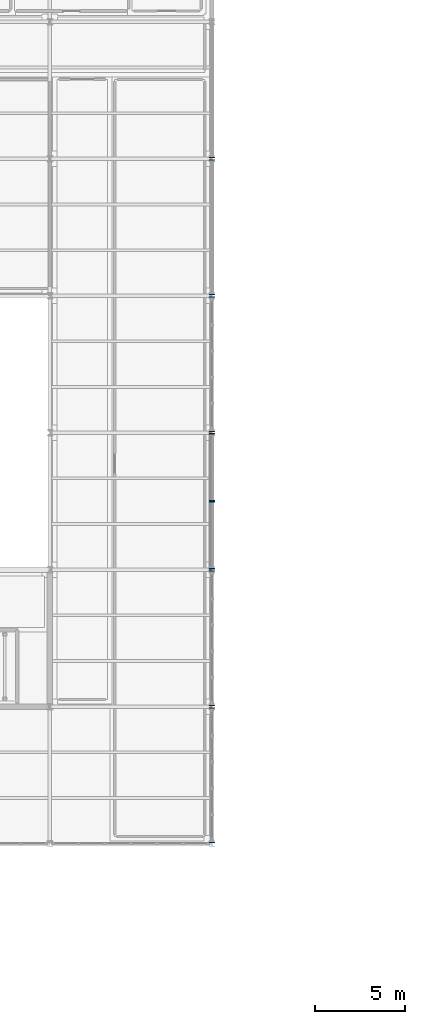
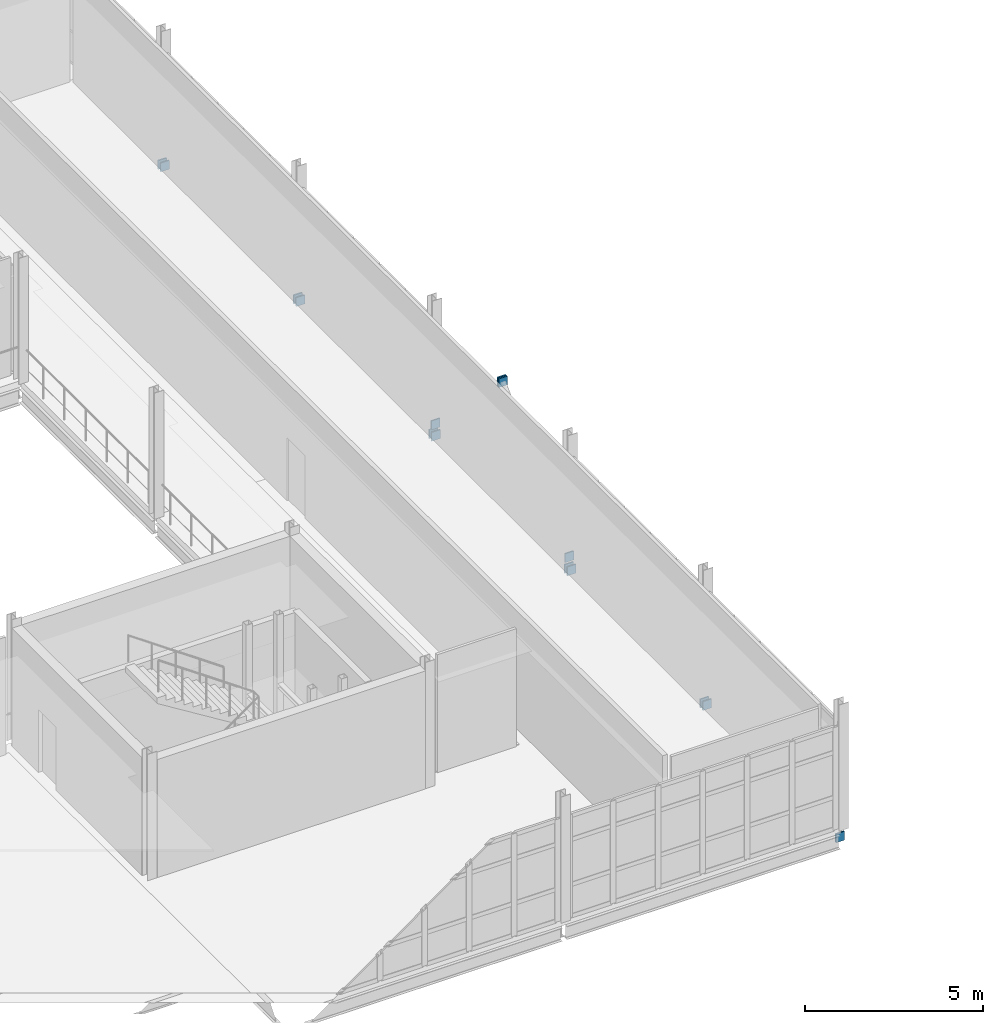
# One storey, part 148 of 166: 15 plates.
"""IFC4 building model written with IfcOpenShell, lengths in metres."""

from ifc_helpers import new_model, si_unit, direction, frame, origin, origin_2d, place, context, subcontext, project, spatial, rectangle, extrude, material, layer, layer_set, type_object, element, save


model = new_model("IFC4")

# Units and contexts
model_context = context("Model", 3, precision=1e-05, world=origin(), true_north=direction((0.0, 1.0)))
body_context = subcontext(model_context, "Body", "Model", "MODEL_VIEW")
ifc_project = project(units=[si_unit("LENGTHUNIT", "METRE"), si_unit("AREAUNIT", "SQUARE_METRE"), si_unit("VOLUMEUNIT", "CUBIC_METRE"), si_unit("PLANEANGLEUNIT", "RADIAN"), si_unit("MASSUNIT", "GRAM", prefix="KILO")], contexts=[model_context])

# Site, building, storey
site_placement = place(None, origin())
site = spatial("IfcSite", under=ifc_project, at=site_placement, CompositionType="ELEMENT")
building_placement = place(site_placement, origin())
building = spatial("IfcBuilding", under=site, at=building_placement, Name="Caisbarro Railhouse Central Library", CompositionType="ELEMENT")
storey_placement = place(building_placement, frame((0.0, 0.0, 9.360107421875)))
storey = spatial("IfcBuildingStorey", under=building, at=storey_placement, Name="L02", CompositionType="ELEMENT", Elevation=9.360107421875)

# Plates
ifc_material = material(Name="Steel ASTM A572 Grade 50", Category="steel")
ifc_layer = layer(ifc_material, 0.044921875, Name="Steel ASTM A572 Grade 50")
ifc_layer_set = layer_set([ifc_layer], Name="Steel ASTM A572 Grade 50")
plate_type = type_object("IfcPlateType", Name="PLT-EP01", PredefinedType="SHEET", material=ifc_layer_set)
for number, where, z_axis, x_axis, name in (
    (1, (153.0, 60.867919921875, -0.52001953125), (0.0, 0.0, 1.0), (0.0, 1.0, 0.0), "EP01 end cap plate"),
    (2, (153.0, 68.33203125, -0.52001953125), (0.0, 0.0, 1.0), (0.0, 1.0, 0.0), "EP01 end cap plate"),
    (3, (153.0, 68.468017578125, -0.52001953125), (0.0, 0.0, 1.0), (0.0, 1.0, 0.0), "EP01 end cap plate"),
    (4, (153.0, 75.931884765625, -0.52001953125), (0.0, 0.0, 1.0), (0.0, 1.0, 0.0), "EP01 end cap plate"),
    (5, (153.0, 76.068115234375, -0.52001953125), (0.0, 0.0, 1.0), (0.0, 1.0, 0.0), "EP01 end cap plate"),
    (6, (153.0, 83.531982421875, -0.52001953125), (0.0, 0.0, 1.0), (0.0, 1.0, 0.0), "EP01 end cap plate"),
    (7, (153.0, 83.66796875, -0.52001953125), (0.0, 0.0, 1.0), (0.0, 1.0, 0.0), "EP01 end cap plate"),
    (8, (153.0, 91.132080078125, -0.52001953125), (0.0, 0.0, 1.0), (0.0, 1.0, 0.0), "EP01 end cap plate"),
    (9, (153.0, 91.26806640625, -0.52001953125), (0.0, 0.0, 1.0), (0.0, 1.0, 0.0), "EP01 end cap plate"),
    (10, (153.0, 98.73193359375, -0.52001953125), (0.0, 0.0, 1.0), (0.0, 1.0, 0.0), "EP01 end cap plate"),
    (11, (153.0, 98.867919921875, -0.52001953125), (0.0, 0.0, 1.0), (0.0, 1.0, 0.0), "EP01 end cap plate"),
    (12, (153.0, 76.051513671875, -0.138671875), (0.0, 0.0, 1.0), (0.0, 1.0, 0.0), "EP01 end cap plate"),
    (13, (153.0, 79.7685546875, 3.59814453125), (0.0, 0.0, 1.0), (0.0, 1.0, 0.0), "EP01 end cap plate"),
    (14, (153.0, 83.548583984375, -0.138671875), (0.0, 0.0, 1.0), (0.0, -1.0, 0.0), "EP01 end cap plate"),
    (15, (153.0, 79.83154296875, 3.59814453125), (0.0, 0.0, 1.0), (0.0, -1.0, 0.0), "EP01 end cap plate"),
):
    element("IfcPlate", number, at=place(storey_placement, frame(where, z_axis=z_axis, x_axis=x_axis)), inside=storey, type_object=plate_type, Name=name, PredefinedType="SHEET", context=body_context, shape_type="SweptSolid", body=[
        extrude(rectangle(XDim=0.044921875, YDim=0.280029296875, at=origin_2d()), origin(), (0.0, 0.0, 1.0), 0.300048828125),
    ])

save(model, "model.ifc")
